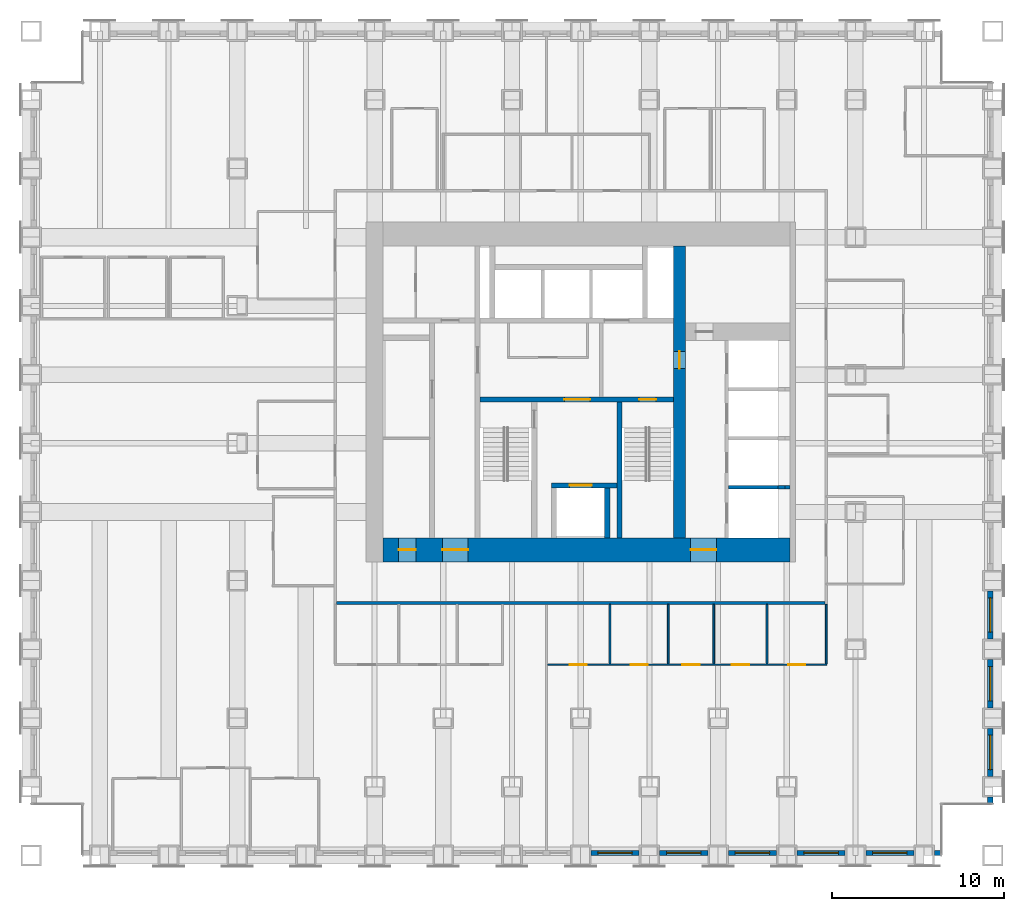
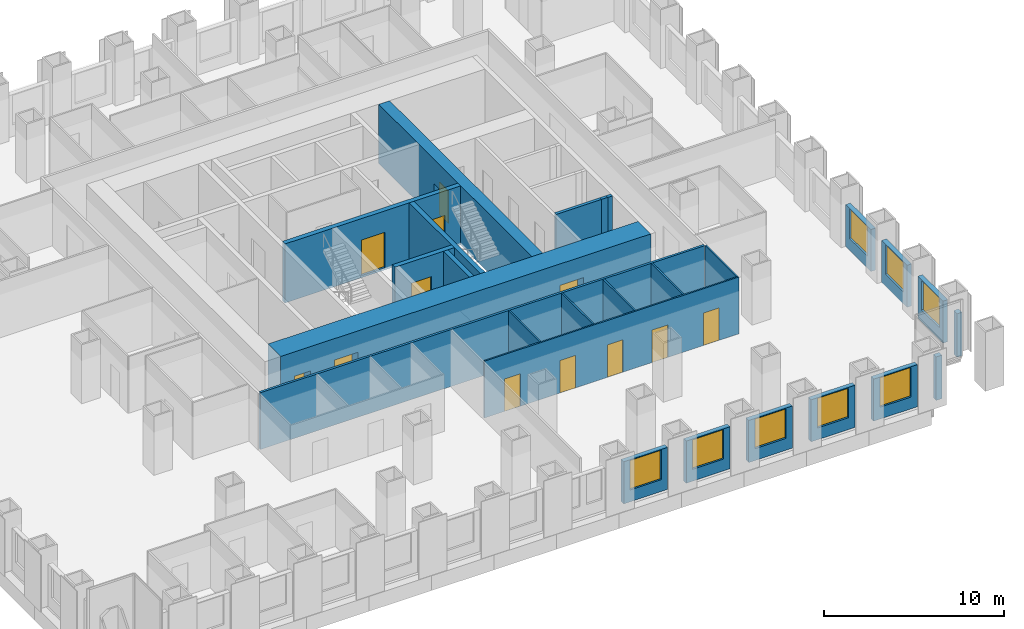
# One storey, part 9 of 14: 26 walls, 12 doors, 8 windows, 20 openings.
"""IFC4 building model written with IfcOpenShell, lengths in metres."""

from ifc_helpers import new_model, si_unit, direction, frame, frame_2d, origin, place, context, subcontext, project, spatial, rectangle, extrude, material, layer, layer_set, type_object, element, fill, save


model = new_model("IFC4")

# Units and contexts
model_context = context("Model", 3, precision=1e-05, world=origin(), true_north=direction((0.0, 1.0)))
body_context = subcontext(model_context, "Body", "Model", "MODEL_VIEW")
ifc_project = project(units=[si_unit("LENGTHUNIT", "METRE"), si_unit("AREAUNIT", "SQUARE_METRE"), si_unit("VOLUMEUNIT", "CUBIC_METRE"), si_unit("PLANEANGLEUNIT", "RADIAN"), si_unit("MASSUNIT", "GRAM", prefix="KILO")], contexts=[model_context])

# Site, building, storey
site_placement = place(None, origin())
site = spatial("IfcSite", under=ifc_project, at=site_placement, CompositionType="ELEMENT")
building_placement = place(site_placement, origin())
building = spatial("IfcBuilding", under=site, at=building_placement, Name="Rimbunsela Tower", CompositionType="ELEMENT")
storey_placement = place(building_placement, frame((0.0, 0.0, 59.0)))
storey = spatial("IfcBuildingStorey", under=building, at=storey_placement, Name="L14", CompositionType="ELEMENT", Elevation=59.0)

# Wall, openings, doors
ifc_material_1 = material(Name="Concrete fc' 80 MPa", Category="concrete")
ifc_layer_1 = layer(ifc_material_1, 0.300048828125)
ifc_layer_set_1 = layer_set([ifc_layer_1], Name="Core internal wall 300")
wall_type_1 = type_object("IfcWallType", Name="Core internal wall 300", PredefinedType="SHEAR", material=ifc_layer_set_1)
wall_1_placement = place(storey_placement, frame((24.14990234375, 26.550048828125, -0.14990234375), z_axis=(0.0, 0.0, 1.0), x_axis=(1.0, 0.0, 0.0)))
wall_1 = element("IfcWall", 1, at=wall_1_placement, inside=storey, type_object=wall_type_1, Name="Core wall lobby south", PredefinedType="SHEAR", context=body_context, shape_type="SweptSolid", body=[
    extrude(rectangle(XDim=11.25, YDim=0.300048828125, at=frame_2d((5.625, 0.0))), origin(), (0.0, 0.0, 1.0), 4.0),
])
opening_1_placement = place(wall_1_placement, frame((9.25, 0.0, 0.14990234375)))
opening_1 = element("IfcOpeningElement", 2, at=opening_1_placement, cuts=wall_1, Name="Opening D01", PredefinedType="OPENING", context=body_context, shape_type="SweptSolid", body=[
    extrude(rectangle(XDim=1.0, YDim=2.199951171875, at=frame_2d((0.5, 1.10009765625))), frame((0.0, 0.159912109375, 0.0), z_axis=(0.0, -1.0, 0.0), x_axis=(1.0, 0.0, 0.0)), (0.0, 0.0, 1.0), 0.320068359375),
])
opening_2_placement = place(wall_1_placement, frame((4.89990234375, 0.0, 0.14990234375)))
opening_2 = element("IfcOpeningElement", 3, at=opening_2_placement, cuts=wall_1, Name="Opening D03", PredefinedType="OPENING", context=body_context, shape_type="SweptSolid", body=[
    extrude(rectangle(XDim=1.5, YDim=2.39990234375, at=frame_2d((0.75, 1.199951171875))), frame((0.0, 0.159912109375, 0.0), z_axis=(0.0, -1.0, 0.0), x_axis=(1.0, 0.0, 0.0)), (0.0, 0.0, 1.0), 0.320068359375),
])
ifc_material_2 = material(Name="Steel door, fire rated", Category="steel")
door_type_1 = type_object("IfcDoorType", Name="Core lobby door 1500", OperationType="DOUBLE_DOOR_DOUBLE_SWING", PredefinedType="DOOR", material=ifc_material_2)
door_1_placement = place(opening_2_placement, origin())
door_1 = element("IfcDoor", 4, at=door_1_placement, inside=storey, type_object=door_type_1, Name="Firefighting lobby door", OperationType="DOUBLE_DOOR_DOUBLE_SWING", OverallHeight=2.39990234375, OverallWidth=1.5, PredefinedType="DOOR", context=body_context, shape_type="SweptSolid", body=[
    extrude(rectangle(XDim=1.5, YDim=2.39990234375, at=frame_2d((0.75, 1.199951171875))), frame((0.0, 0.02490234375, 0.0), z_axis=(0.0, -1.0, 0.0), x_axis=(1.0, 0.0, 0.0)), (0.0, 0.0, 1.0), 0.050048828125),
])
fill(opening_2, door_1)
ifc_material_3 = material(Name="Steel door, fire rated", Category="steel")
door_type_2 = type_object("IfcDoorType", Name="Stair door 1000", OperationType="SINGLE_SWING_RIGHT", PredefinedType="DOOR", material=ifc_material_3)
door_2_placement = place(opening_1_placement, frame((1.0, 0.0, 0.0), z_axis=(0.0, 0.0, 1.0), x_axis=(-1.0, 0.0, 0.0)))
door_2 = element("IfcDoor", 5, at=door_2_placement, inside=storey, type_object=door_type_2, Name="Stair B door", OperationType="SINGLE_SWING_RIGHT", OverallHeight=2.199951171875, OverallWidth=1.0, PredefinedType="DOOR", context=body_context, shape_type="SweptSolid", body=[
    extrude(rectangle(XDim=1.0, YDim=2.199951171875, at=frame_2d((0.5, 1.10009765625))), frame((0.0, 0.02490234375, 0.0), z_axis=(0.0, -1.0, 0.0), x_axis=(1.0, 0.0, 0.0)), (0.0, 0.0, 1.0), 0.050048828125),
])
fill(opening_1, door_2)

# Walls
wall_2_placement = place(storey_placement, frame((32.25, 18.5, -0.14990234375), z_axis=(0.0, 0.0, 1.0), x_axis=(0.0, 1.0, 0.0)))
element("IfcWall", 6, at=wall_2_placement, inside=storey, type_object=wall_type_1, Name="Stair B enclosure", PredefinedType="SHEAR", context=body_context, shape_type="SweptSolid", body=[
    extrude(rectangle(XDim=7.89990234375, YDim=0.300048828125, at=frame_2d((3.949951171875, 0.0))), origin(), (0.0, 0.0, 1.0), 4.0),
])
wall_3_placement = place(storey_placement, frame((31.550048828125, 18.5, -0.14990234375), z_axis=(0.0, 0.0, 1.0), x_axis=(0.0, 1.0, 0.0)))
element("IfcWall", 7, at=wall_3_placement, inside=storey, type_object=wall_type_1, Name="Firefighting lift shaft east", PredefinedType="SHEAR", context=body_context, shape_type="SweptSolid", body=[
    extrude(rectangle(XDim=2.89990234375, YDim=0.300048828125, at=frame_2d((1.449951171875, 0.0))), origin(), (0.0, 0.0, 1.0), 4.0),
])

# Wall, opening, door
wall_4_placement = place(storey_placement, frame((28.300048828125, 21.550048828125, -0.14990234375), z_axis=(0.0, 0.0, 1.0), x_axis=(1.0, 0.0, 0.0)))
wall_4 = element("IfcWall", 8, at=wall_4_placement, inside=storey, type_object=wall_type_1, Name="Firefighting lift shaft front", PredefinedType="SHEAR", context=body_context, shape_type="SweptSolid", body=[
    extrude(rectangle(XDim=3.800048828125, YDim=0.300048828125, at=frame_2d((1.89990234375, 0.0))), origin(), (0.0, 0.0, 1.0), 4.0),
])
opening_3_placement = place(wall_4_placement, frame((1.050048828125, 0.0, 0.14990234375)))
opening_3 = element("IfcOpeningElement", 9, at=opening_3_placement, cuts=wall_4, Name="Opening LD2", PredefinedType="OPENING", context=body_context, shape_type="SweptSolid", body=[
    extrude(rectangle(XDim=1.300048828125, YDim=2.39990234375, at=frame_2d((0.64990234375, 1.199951171875))), frame((0.0, 0.159912109375, 0.0), z_axis=(0.0, -1.0, 0.0), x_axis=(1.0, 0.0, 0.0)), (0.0, 0.0, 1.0), 0.320068359375),
])
ifc_material_4 = material(Name="Steel door, fire rated", Category="steel")
door_type_3 = type_object("IfcDoorType", Name="Lift landing door 1300", OperationType="DOUBLE_DOOR_SLIDING", PredefinedType="DOOR", material=ifc_material_4)
door_3_placement = place(opening_3_placement, origin())
door_3 = element("IfcDoor", 10, at=door_3_placement, inside=storey, type_object=door_type_3, Name="Lift landing door FL1", OperationType="DOUBLE_DOOR_SLIDING", OverallHeight=2.39990234375, OverallWidth=1.300048828125, PredefinedType="DOOR", context=body_context, shape_type="SweptSolid", body=[
    extrude(rectangle(XDim=1.300048828125, YDim=2.39990234375, at=frame_2d((0.64990234375, 1.199951171875))), frame((0.0, 0.02490234375, 0.0), z_axis=(0.0, -1.0, 0.0), x_axis=(1.0, 0.0, 0.0)), (0.0, 0.0, 1.0), 0.050048828125),
])
fill(opening_3, door_3)

# Wall, openings, doors
ifc_material_5 = material(Name="Concrete fc' 80 MPa", Category="concrete")
ifc_layer_2 = layer(ifc_material_5, 1.39990234375)
ifc_layer_set_2 = layer_set([ifc_layer_2], Name="Core wall 1400")
wall_type_2 = type_object("IfcWallType", Name="Core wall 1400", PredefinedType="SHEAR", material=ifc_layer_set_2)
wall_5_placement = place(storey_placement, frame((18.5, 17.800048828125, -0.14990234375), z_axis=(0.0, 0.0, 1.0), x_axis=(1.0, 0.0, 0.0)))
wall_5 = element("IfcWall", 11, at=wall_5_placement, inside=storey, type_object=wall_type_2, Name="Core wall south", PredefinedType="SHEAR", context=body_context, shape_type="SweptSolid", body=[
    extrude(rectangle(XDim=23.699951171875, YDim=1.39990234375, at=frame_2d((11.85009765625, 0.0))), origin(), (0.0, 0.0, 1.0), 4.0),
])
opening_4_placement = place(wall_5_placement, frame((3.449951171875, 0.0, 0.14990234375)))
opening_4 = element("IfcOpeningElement", 12, at=opening_4_placement, cuts=wall_5, Name="Opening D03", PredefinedType="OPENING", context=body_context, shape_type="SweptSolid", body=[
    extrude(rectangle(XDim=1.5, YDim=2.39990234375, at=frame_2d((0.75, 1.199951171875))), frame((0.0, 0.7099609375, 0.0), z_axis=(0.0, -1.0, 0.0), x_axis=(1.0, 0.0, 0.0)), (0.0, 0.0, 1.0), 1.419921875),
])
opening_5_placement = place(wall_5_placement, frame((17.89990234375, 0.0, 0.14990234375)))
opening_5 = element("IfcOpeningElement", 13, at=opening_5_placement, cuts=wall_5, Name="Opening D03", PredefinedType="OPENING", context=body_context, shape_type="SweptSolid", body=[
    extrude(rectangle(XDim=1.5, YDim=2.39990234375, at=frame_2d((0.75, 1.199951171875))), frame((0.0, 0.7099609375, 0.0), z_axis=(0.0, -1.0, 0.0), x_axis=(1.0, 0.0, 0.0)), (0.0, 0.0, 1.0), 1.419921875),
])
opening_6_placement = place(wall_5_placement, frame((0.89990234375, 0.0, 0.14990234375)))
opening_6 = element("IfcOpeningElement", 14, at=opening_6_placement, cuts=wall_5, Name="Opening D19", PredefinedType="OPENING", context=body_context, shape_type="SweptSolid", body=[
    extrude(rectangle(XDim=1.0, YDim=2.199951171875, at=frame_2d((0.5, 1.10009765625))), frame((0.0, 0.7099609375, 0.0), z_axis=(0.0, -1.0, 0.0), x_axis=(1.0, 0.0, 0.0)), (0.0, 0.0, 1.0), 1.419921875),
])
door_4_placement = place(opening_4_placement, origin())
door_4 = element("IfcDoor", 15, at=door_4_placement, inside=storey, type_object=door_type_1, Name="Core door south", OperationType="DOUBLE_DOOR_DOUBLE_SWING", OverallHeight=2.39990234375, OverallWidth=1.5, PredefinedType="DOOR", context=body_context, shape_type="SweptSolid", body=[
    extrude(rectangle(XDim=1.5, YDim=2.39990234375, at=frame_2d((0.75, 1.199951171875))), frame((0.0, 0.02490234375, 0.0), z_axis=(0.0, -1.0, 0.0), x_axis=(1.0, 0.0, 0.0)), (0.0, 0.0, 1.0), 0.050048828125),
])
fill(opening_4, door_4)
door_5_placement = place(opening_5_placement, origin())
door_5 = element("IfcDoor", 16, at=door_5_placement, inside=storey, type_object=door_type_1, Name="Core door south-east", OperationType="DOUBLE_DOOR_DOUBLE_SWING", OverallHeight=2.39990234375, OverallWidth=1.5, PredefinedType="DOOR", context=body_context, shape_type="SweptSolid", body=[
    extrude(rectangle(XDim=1.5, YDim=2.39990234375, at=frame_2d((0.75, 1.199951171875))), frame((0.0, 0.02490234375, 0.0), z_axis=(0.0, -1.0, 0.0), x_axis=(1.0, 0.0, 0.0)), (0.0, 0.0, 1.0), 0.050048828125),
])
fill(opening_5, door_5)
ifc_material_6 = material(Name="Steel door, fire rated", Category="steel")
door_type_4 = type_object("IfcDoorType", Name="Service door 1000 fire rated", OperationType="SINGLE_SWING_LEFT", PredefinedType="DOOR", material=ifc_material_6)
door_6_placement = place(opening_6_placement, origin())
door_6 = element("IfcDoor", 17, at=door_6_placement, inside=storey, type_object=door_type_4, Name="Electrical room door", OperationType="SINGLE_SWING_LEFT", OverallHeight=2.199951171875, OverallWidth=1.0, PredefinedType="DOOR", context=body_context, shape_type="SweptSolid", body=[
    extrude(rectangle(XDim=1.0, YDim=2.199951171875, at=frame_2d((0.5, 1.10009765625))), frame((0.0, 0.02490234375, 0.0), z_axis=(0.0, -1.0, 0.0), x_axis=(1.0, 0.0, 0.0)), (0.0, 0.0, 1.0), 0.050048828125),
])
fill(opening_6, door_6)

# Wall, opening, door
ifc_material_7 = material(Name="Concrete fc' 80 MPa", Category="concrete")
ifc_layer_3 = layer(ifc_material_7, 0.699951171875)
ifc_layer_set_3 = layer_set([ifc_layer_3], Name="Core wall 700 east")
wall_type_3 = type_object("IfcWallType", Name="Core wall 700 east", PredefinedType="SHEAR", material=ifc_layer_set_3)
wall_6_placement = place(storey_placement, frame((35.75, 18.5, -0.14990234375), z_axis=(0.0, 0.0, 1.0), x_axis=(0.0, 1.0, 0.0)))
wall_6 = element("IfcWall", 18, at=wall_6_placement, inside=storey, type_object=wall_type_3, Name="Core wall low-rise bank", PredefinedType="SHEAR", context=body_context, shape_type="SweptSolid", body=[
    extrude(rectangle(XDim=17.0, YDim=0.699951171875, at=frame_2d((8.5, 0.0))), origin(), (0.0, 0.0, 1.0), 4.0),
])
opening_7_placement = place(wall_6_placement, frame((9.85009765625, 0.0, 0.14990234375)))
opening_7 = element("IfcOpeningElement", 19, at=opening_7_placement, cuts=wall_6, Name="Opening D01", PredefinedType="OPENING", context=body_context, shape_type="SweptSolid", body=[
    extrude(rectangle(XDim=1.0, YDim=2.199951171875, at=frame_2d((0.5, 1.10009765625))), frame((0.0, 0.35986328125, 0.0), z_axis=(0.0, -1.0, 0.0), x_axis=(1.0, 0.0, 0.0)), (0.0, 0.0, 1.0), 0.719970703125),
])
door_7_placement = place(opening_7_placement, origin())
door_7 = element("IfcDoor", 20, at=door_7_placement, inside=storey, type_object=door_type_2, Name="Firefighting lobby 2 door", OperationType="SINGLE_SWING_RIGHT", OverallHeight=2.199951171875, OverallWidth=1.0, PredefinedType="DOOR", context=body_context, shape_type="SweptSolid", body=[
    extrude(rectangle(XDim=1.0, YDim=2.199951171875, at=frame_2d((0.5, 1.10009765625))), frame((0.0, 0.02490234375, 0.0), z_axis=(0.0, -1.0, 0.0), x_axis=(1.0, 0.0, 0.0)), (0.0, 0.0, 1.0), 0.050048828125),
])
fill(opening_7, door_7)

# Walls
ifc_material_8 = material(Name="Concrete blockwork", Category="masonry")
ifc_layer_4 = layer(ifc_material_8, 0.199951171875)
ifc_layer_set_4 = layer_set([ifc_layer_4], Name="Lift shaft wall 200")
wall_type_4 = type_object("IfcWallType", Name="Lift shaft wall 200", PredefinedType="SOLIDWALL", material=ifc_layer_set_4)
wall_7_placement = place(storey_placement, frame((38.60009765625, 21.449951171875, -0.14990234375), z_axis=(0.0, 0.0, 1.0), x_axis=(1.0, 0.0, 0.0)))
element("IfcWall", 21, at=wall_7_placement, inside=storey, type_object=wall_type_4, Name="Lift shaft separation", PredefinedType="SOLIDWALL", context=body_context, shape_type="SweptSolid", body=[
    extrude(rectangle(XDim=2.89990234375, YDim=0.199951171875, at=frame_2d((1.449951171875, 0.0))), origin(), (0.0, 0.0, 1.0), 4.0),
])
wall_8_placement = place(storey_placement, frame((41.5, 21.449951171875, -0.14990234375), z_axis=(0.0, 0.0, 1.0), x_axis=(1.0, 0.0, 0.0)))
element("IfcWall", 22, at=wall_8_placement, inside=storey, type_object=wall_type_4, Name="Lift shaft separation", PredefinedType="SOLIDWALL", context=body_context, shape_type="SweptSolid", body=[
    extrude(rectangle(XDim=0.39990234375, YDim=0.199951171875, at=frame_2d((0.199951171875, 0.0))), origin(), (0.0, 0.0, 1.0), 4.0),
])
wall_9_placement = place(storey_placement, frame((41.89990234375, 21.449951171875, -0.14990234375), z_axis=(0.0, 0.0, 1.0), x_axis=(1.0, 0.0, 0.0)))
element("IfcWall", 23, at=wall_9_placement, inside=storey, type_object=wall_type_4, Name="Lift shaft separation", PredefinedType="SOLIDWALL", context=body_context, shape_type="SweptSolid", body=[
    extrude(rectangle(XDim=0.300048828125, YDim=0.199951171875, at=frame_2d((0.14990234375, 0.0))), origin(), (0.0, 0.0, 1.0), 4.0),
])

# Wall, openings, doors
ifc_material_9 = material(Name="Gypsum board on steel studs", Category="steel")
ifc_layer_5 = layer(ifc_material_9, 0.10009765625)
ifc_layer_set_5 = layer_set([ifc_layer_5], Name="Office partition 100")
wall_type_5 = type_object("IfcWallType", Name="Office partition 100", PredefinedType="PARTITIONING", material=ifc_layer_set_5)
wall_10_placement = place(storey_placement, frame((28.06103515625, 11.10009765625, 0.0), z_axis=(0.0, 0.0, 1.0), x_axis=(1.0, 0.0, 0.0)))
wall_10 = element("IfcWall", 24, at=wall_10_placement, inside=storey, type_object=wall_type_5, Name="Office partition", PredefinedType="PARTITIONING", context=body_context, shape_type="SweptSolid", body=[
    extrude(rectangle(XDim=16.2890625, YDim=0.10009765625, at=frame_2d((8.14453125, 0.0))), origin(), (0.0, 0.0, 1.0), 3.85009765625),
])
opening_8_placement = place(wall_10_placement, frame((1.2900390625, 0.0, 0.0)))
opening_8 = element("IfcOpeningElement", 25, at=opening_8_placement, cuts=wall_10, Name="Opening D17", PredefinedType="OPENING", context=body_context, shape_type="SweptSolid", body=[
    extrude(rectangle(XDim=1.0, YDim=2.199951171875, at=frame_2d((0.5, 1.10009765625))), frame((0.0, 0.06005859375, 0.0), z_axis=(0.0, -1.0, 0.0), x_axis=(1.0, 0.0, 0.0)), (0.0, 0.0, 1.0), 0.1201171875),
])
opening_9_placement = place(wall_10_placement, frame((4.840087890625, 0.0, 0.0)))
opening_9 = element("IfcOpeningElement", 26, at=opening_9_placement, cuts=wall_10, Name="Opening D16", PredefinedType="OPENING", context=body_context, shape_type="SweptSolid", body=[
    extrude(rectangle(XDim=1.0, YDim=2.199951171875, at=frame_2d((0.5, 1.10009765625))), frame((0.0, 0.06005859375, 0.0), z_axis=(0.0, -1.0, 0.0), x_axis=(1.0, 0.0, 0.0)), (0.0, 0.0, 1.0), 0.1201171875),
])
opening_10_placement = place(wall_10_placement, frame((7.864990234375, 0.0, 0.0)))
opening_10 = element("IfcOpeningElement", 27, at=opening_10_placement, cuts=wall_10, Name="Opening D16", PredefinedType="OPENING", context=body_context, shape_type="SweptSolid", body=[
    extrude(rectangle(XDim=1.0, YDim=2.199951171875, at=frame_2d((0.5, 1.10009765625))), frame((0.0, 0.06005859375, 0.0), z_axis=(0.0, -1.0, 0.0), x_axis=(1.0, 0.0, 0.0)), (0.0, 0.0, 1.0), 0.1201171875),
])
opening_11_placement = place(wall_10_placement, frame((10.739990234375, 0.0, 0.0)))
opening_11 = element("IfcOpeningElement", 28, at=opening_11_placement, cuts=wall_10, Name="Opening D16", PredefinedType="OPENING", context=body_context, shape_type="SweptSolid", body=[
    extrude(rectangle(XDim=1.0, YDim=2.199951171875, at=frame_2d((0.5, 1.10009765625))), frame((0.0, 0.06005859375, 0.0), z_axis=(0.0, -1.0, 0.0), x_axis=(1.0, 0.0, 0.0)), (0.0, 0.0, 1.0), 0.1201171875),
])
opening_12_placement = place(wall_10_placement, frame((14.014404296875, 0.0, 0.0)))
opening_12 = element("IfcOpeningElement", 29, at=opening_12_placement, cuts=wall_10, Name="Opening D16", PredefinedType="OPENING", context=body_context, shape_type="SweptSolid", body=[
    extrude(rectangle(XDim=1.0, YDim=2.199951171875, at=frame_2d((0.5, 1.10009765625))), frame((0.0, 0.06005859375, 0.0), z_axis=(0.0, -1.0, 0.0), x_axis=(1.0, 0.0, 0.0)), (0.0, 0.0, 1.0), 0.1201171875),
])
ifc_material_10 = material(Name="Glazed aluminium door", Category="aluminium")
door_type_5 = type_object("IfcDoorType", Name="Meeting room door 1000 glazed", OperationType="SINGLE_SWING_RIGHT", PredefinedType="DOOR", material=ifc_material_10)
door_8_placement = place(opening_8_placement, origin())
door_8 = element("IfcDoor", 30, at=door_8_placement, inside=storey, type_object=door_type_5, Name="Meeting room door", OperationType="SINGLE_SWING_RIGHT", OverallHeight=2.199951171875, OverallWidth=1.0, PredefinedType="DOOR", context=body_context, shape_type="SweptSolid", body=[
    extrude(rectangle(XDim=1.0, YDim=2.199951171875, at=frame_2d((0.5, 1.10009765625))), frame((0.0, 0.02490234375, 0.0), z_axis=(0.0, -1.0, 0.0), x_axis=(1.0, 0.0, 0.0)), (0.0, 0.0, 1.0), 0.050048828125),
])
fill(opening_8, door_8)
ifc_material_11 = material(Name="Timber door", Category="wood")
door_type_6 = type_object("IfcDoorType", Name="Office door 1000", OperationType="SINGLE_SWING_LEFT", PredefinedType="DOOR", material=ifc_material_11)
door_9_placement = place(opening_9_placement, origin())
door_9 = element("IfcDoor", 31, at=door_9_placement, inside=storey, type_object=door_type_6, Name="Office door", OperationType="SINGLE_SWING_LEFT", OverallHeight=2.199951171875, OverallWidth=1.0, PredefinedType="DOOR", context=body_context, shape_type="SweptSolid", body=[
    extrude(rectangle(XDim=1.0, YDim=2.199951171875, at=frame_2d((0.5, 1.10009765625))), frame((0.0, 0.02490234375, 0.0), z_axis=(0.0, -1.0, 0.0), x_axis=(1.0, 0.0, 0.0)), (0.0, 0.0, 1.0), 0.050048828125),
])
fill(opening_9, door_9)
door_10_placement = place(opening_10_placement, origin())
door_10 = element("IfcDoor", 32, at=door_10_placement, inside=storey, type_object=door_type_6, Name="Office door", OperationType="SINGLE_SWING_LEFT", OverallHeight=2.199951171875, OverallWidth=1.0, PredefinedType="DOOR", context=body_context, shape_type="SweptSolid", body=[
    extrude(rectangle(XDim=1.0, YDim=2.199951171875, at=frame_2d((0.5, 1.10009765625))), frame((0.0, 0.02490234375, 0.0), z_axis=(0.0, -1.0, 0.0), x_axis=(1.0, 0.0, 0.0)), (0.0, 0.0, 1.0), 0.050048828125),
])
fill(opening_10, door_10)
door_11_placement = place(opening_11_placement, origin())
door_11 = element("IfcDoor", 33, at=door_11_placement, inside=storey, type_object=door_type_6, Name="Office door", OperationType="SINGLE_SWING_LEFT", OverallHeight=2.199951171875, OverallWidth=1.0, PredefinedType="DOOR", context=body_context, shape_type="SweptSolid", body=[
    extrude(rectangle(XDim=1.0, YDim=2.199951171875, at=frame_2d((0.5, 1.10009765625))), frame((0.0, 0.02490234375, 0.0), z_axis=(0.0, -1.0, 0.0), x_axis=(1.0, 0.0, 0.0)), (0.0, 0.0, 1.0), 0.050048828125),
])
fill(opening_11, door_11)
door_12_placement = place(opening_12_placement, origin())
door_12 = element("IfcDoor", 34, at=door_12_placement, inside=storey, type_object=door_type_6, Name="Office door", OperationType="SINGLE_SWING_LEFT", OverallHeight=2.199951171875, OverallWidth=1.0, PredefinedType="DOOR", context=body_context, shape_type="SweptSolid", body=[
    extrude(rectangle(XDim=1.0, YDim=2.199951171875, at=frame_2d((0.5, 1.10009765625))), frame((0.0, 0.02490234375, 0.0), z_axis=(0.0, -1.0, 0.0), x_axis=(1.0, 0.0, 0.0)), (0.0, 0.0, 1.0), 0.050048828125),
])
fill(opening_12, door_12)

# Walls
for number, where, z_axis, x_axis, name in (
    (35, (31.700927734375, 11.14990234375, 0.0), (0.0, 0.0, 1.0), (0.0, 1.0, 0.0), "Office partition"),
    (36, (35.10107421875, 11.14990234375, 0.0), (0.0, 0.0, 1.0), (0.0, 1.0, 0.0), "Office partition"),
    (37, (37.7509765625, 11.14990234375, 0.0), (0.0, 0.0, 1.0), (0.0, 1.0, 0.0), "Office partition"),
    (38, (40.85107421875, 11.14990234375, 0.0), (0.0, 0.0, 1.0), (0.0, 1.0, 0.0), "Office partition"),
    (39, (44.300048828125, 11.14990234375, 0.0), (0.0, 0.0, 1.0), (0.0, 1.0, 0.0), "Office partition"),
):
    element("IfcWall", number, at=place(storey_placement, frame(where, z_axis=z_axis, x_axis=x_axis)), inside=storey, type_object=wall_type_5, Name=name, PredefinedType="PARTITIONING", context=body_context, shape_type="SweptSolid", body=[
        extrude(rectangle(XDim=3.47509765625, YDim=0.10009765625, at=frame_2d((1.737548828125, 0.0))), origin(), (0.0, 0.0, 1.0), 3.85009765625),
    ])

# Wall, opening, window
ifc_material_12 = material(Name="Precast concrete fc' 35 MPa", Category="concrete")
ifc_layer_6 = layer(ifc_material_12, 0.300048828125)
ifc_layer_set_6 = layer_set([ifc_layer_6], Name="Precast concrete fc' 35 MPa")
wall_type_6 = type_object("IfcWallType", Name="Precast facade panel 300", PredefinedType="ELEMENTEDWALL", material=ifc_layer_set_6)
wall_11_placement = place(storey_placement, frame((30.60009765625, 0.14990234375, 0.0), z_axis=(0.0, 0.0, 1.0), x_axis=(1.0, 0.0, 0.0)))
wall_11 = element("IfcWall", 40, at=wall_11_placement, inside=storey, type_object=wall_type_6, Name="Facade panel S L14", PredefinedType="ELEMENTEDWALL", context=body_context, shape_type="SweptSolid", body=[
    extrude(rectangle(XDim=2.7998046875, YDim=0.300048828125, at=frame_2d((1.39990234375, 0.0))), origin(), (0.0, 0.0, 1.0), 2.85009765625),
])
opening_13_placement = place(wall_11_placement, frame((0.39990234375, 0.0, 0.800048828125)))
opening_13 = element("IfcOpeningElement", 41, at=opening_13_placement, cuts=wall_11, Name="Opening W1", PredefinedType="OPENING", context=body_context, shape_type="SweptSolid", body=[
    extrude(rectangle(XDim=2.0, YDim=2.0, at=frame_2d((1.0, 1.0))), frame((0.0, 0.159912109375, 0.0), z_axis=(0.0, -1.0, 0.0), x_axis=(1.0, 0.0, 0.0)), (0.0, 0.0, 1.0), 0.320068359375),
])
ifc_material_13 = material(Name="Clear glass in aluminium frame", Category="aluminium")
window_type = type_object("IfcWindowType", Name="Window W1 2000x2000", PartitioningType="DOUBLE_PANEL_VERTICAL", PredefinedType="WINDOW", material=ifc_material_13)
window_1_placement = place(opening_13_placement, origin())
window_1 = element("IfcWindow", 42, at=window_1_placement, inside=storey, type_object=window_type, Name="Window L14", OverallHeight=2.0, OverallWidth=2.0, PartitioningType="SINGLE_PANEL", PredefinedType="WINDOW", context=body_context, shape_type="SweptSolid", body=[
    extrude(rectangle(XDim=2.0, YDim=2.0, at=frame_2d((1.0, 1.0))), frame((0.0, 0.030029296875, 0.0), z_axis=(0.0, -1.0, 0.0), x_axis=(1.0, 0.0, 0.0)), (0.0, 0.0, 1.0), 0.06005859375),
])
fill(opening_13, window_1)

wall_12_placement = place(storey_placement, frame((34.60009765625, 0.14990234375, 0.0), z_axis=(0.0, 0.0, 1.0), x_axis=(1.0, 0.0, 0.0)))
wall_12 = element("IfcWall", 43, at=wall_12_placement, inside=storey, type_object=wall_type_6, Name="Facade panel S L14", PredefinedType="ELEMENTEDWALL", context=body_context, shape_type="SweptSolid", body=[
    extrude(rectangle(XDim=2.7998046875, YDim=0.300048828125, at=frame_2d((1.39990234375, 0.0))), origin(), (0.0, 0.0, 1.0), 2.85009765625),
])
opening_14_placement = place(wall_12_placement, frame((0.39990234375, 0.0, 0.800048828125)))
opening_14 = element("IfcOpeningElement", 44, at=opening_14_placement, cuts=wall_12, Name="Opening W1", PredefinedType="OPENING", context=body_context, shape_type="SweptSolid", body=[
    extrude(rectangle(XDim=2.0, YDim=2.0, at=frame_2d((1.0, 1.0))), frame((0.0, 0.159912109375, 0.0), z_axis=(0.0, -1.0, 0.0), x_axis=(1.0, 0.0, 0.0)), (0.0, 0.0, 1.0), 0.320068359375),
])
window_2_placement = place(opening_14_placement, origin())
window_2 = element("IfcWindow", 45, at=window_2_placement, inside=storey, type_object=window_type, Name="Window L14", OverallHeight=2.0, OverallWidth=2.0, PartitioningType="SINGLE_PANEL", PredefinedType="WINDOW", context=body_context, shape_type="SweptSolid", body=[
    extrude(rectangle(XDim=2.0, YDim=2.0, at=frame_2d((1.0, 1.0))), frame((0.0, 0.030029296875, 0.0), z_axis=(0.0, -1.0, 0.0), x_axis=(1.0, 0.0, 0.0)), (0.0, 0.0, 1.0), 0.06005859375),
])
fill(opening_14, window_2)

wall_13_placement = place(storey_placement, frame((38.60009765625, 0.14990234375, 0.0), z_axis=(0.0, 0.0, 1.0), x_axis=(1.0, 0.0, 0.0)))
wall_13 = element("IfcWall", 46, at=wall_13_placement, inside=storey, type_object=wall_type_6, Name="Facade panel S L14", PredefinedType="ELEMENTEDWALL", context=body_context, shape_type="SweptSolid", body=[
    extrude(rectangle(XDim=2.7998046875, YDim=0.300048828125, at=frame_2d((1.39990234375, 0.0))), origin(), (0.0, 0.0, 1.0), 2.85009765625),
])
opening_15_placement = place(wall_13_placement, frame((0.39990234375, 0.0, 0.800048828125)))
opening_15 = element("IfcOpeningElement", 47, at=opening_15_placement, cuts=wall_13, Name="Opening W1", PredefinedType="OPENING", context=body_context, shape_type="SweptSolid", body=[
    extrude(rectangle(XDim=2.0, YDim=2.0, at=frame_2d((1.0, 1.0))), frame((0.0, 0.159912109375, 0.0), z_axis=(0.0, -1.0, 0.0), x_axis=(1.0, 0.0, 0.0)), (0.0, 0.0, 1.0), 0.320068359375),
])
window_3_placement = place(opening_15_placement, origin())
window_3 = element("IfcWindow", 48, at=window_3_placement, inside=storey, type_object=window_type, Name="Window L14", OverallHeight=2.0, OverallWidth=2.0, PartitioningType="SINGLE_PANEL", PredefinedType="WINDOW", context=body_context, shape_type="SweptSolid", body=[
    extrude(rectangle(XDim=2.0, YDim=2.0, at=frame_2d((1.0, 1.0))), frame((0.0, 0.030029296875, 0.0), z_axis=(0.0, -1.0, 0.0), x_axis=(1.0, 0.0, 0.0)), (0.0, 0.0, 1.0), 0.06005859375),
])
fill(opening_15, window_3)

wall_14_placement = place(storey_placement, frame((42.60009765625, 0.14990234375, 0.0), z_axis=(0.0, 0.0, 1.0), x_axis=(1.0, 0.0, 0.0)))
wall_14 = element("IfcWall", 49, at=wall_14_placement, inside=storey, type_object=wall_type_6, Name="Facade panel S L14", PredefinedType="ELEMENTEDWALL", context=body_context, shape_type="SweptSolid", body=[
    extrude(rectangle(XDim=2.7998046875, YDim=0.300048828125, at=frame_2d((1.39990234375, 0.0))), origin(), (0.0, 0.0, 1.0), 2.85009765625),
])
opening_16_placement = place(wall_14_placement, frame((0.39990234375, 0.0, 0.800048828125)))
opening_16 = element("IfcOpeningElement", 50, at=opening_16_placement, cuts=wall_14, Name="Opening W1", PredefinedType="OPENING", context=body_context, shape_type="SweptSolid", body=[
    extrude(rectangle(XDim=2.0, YDim=2.0, at=frame_2d((1.0, 1.0))), frame((0.0, 0.159912109375, 0.0), z_axis=(0.0, -1.0, 0.0), x_axis=(1.0, 0.0, 0.0)), (0.0, 0.0, 1.0), 0.320068359375),
])
window_4_placement = place(opening_16_placement, origin())
window_4 = element("IfcWindow", 51, at=window_4_placement, inside=storey, type_object=window_type, Name="Window L14", OverallHeight=2.0, OverallWidth=2.0, PartitioningType="SINGLE_PANEL", PredefinedType="WINDOW", context=body_context, shape_type="SweptSolid", body=[
    extrude(rectangle(XDim=2.0, YDim=2.0, at=frame_2d((1.0, 1.0))), frame((0.0, 0.030029296875, 0.0), z_axis=(0.0, -1.0, 0.0), x_axis=(1.0, 0.0, 0.0)), (0.0, 0.0, 1.0), 0.06005859375),
])
fill(opening_16, window_4)

wall_15_placement = place(storey_placement, frame((46.60009765625, 0.14990234375, 0.0), z_axis=(0.0, 0.0, 1.0), x_axis=(1.0, 0.0, 0.0)))
wall_15 = element("IfcWall", 52, at=wall_15_placement, inside=storey, type_object=wall_type_6, Name="Facade panel S L14", PredefinedType="ELEMENTEDWALL", context=body_context, shape_type="SweptSolid", body=[
    extrude(rectangle(XDim=2.7998046875, YDim=0.300048828125, at=frame_2d((1.39990234375, 0.0))), origin(), (0.0, 0.0, 1.0), 2.85009765625),
])
opening_17_placement = place(wall_15_placement, frame((0.39990234375, 0.0, 0.800048828125)))
opening_17 = element("IfcOpeningElement", 53, at=opening_17_placement, cuts=wall_15, Name="Opening W1", PredefinedType="OPENING", context=body_context, shape_type="SweptSolid", body=[
    extrude(rectangle(XDim=2.0, YDim=2.0, at=frame_2d((1.0, 1.0))), frame((0.0, 0.159912109375, 0.0), z_axis=(0.0, -1.0, 0.0), x_axis=(1.0, 0.0, 0.0)), (0.0, 0.0, 1.0), 0.320068359375),
])
window_5_placement = place(opening_17_placement, origin())
window_5 = element("IfcWindow", 54, at=window_5_placement, inside=storey, type_object=window_type, Name="Window L14", OverallHeight=2.0, OverallWidth=2.0, PartitioningType="SINGLE_PANEL", PredefinedType="WINDOW", context=body_context, shape_type="SweptSolid", body=[
    extrude(rectangle(XDim=2.0, YDim=2.0, at=frame_2d((1.0, 1.0))), frame((0.0, 0.030029296875, 0.0), z_axis=(0.0, -1.0, 0.0), x_axis=(1.0, 0.0, 0.0)), (0.0, 0.0, 1.0), 0.06005859375),
])
fill(opening_17, window_5)

# Walls
for number, where, z_axis, x_axis, name in (
    (55, (50.60009765625, 0.14990234375, 0.0), (0.0, 0.0, 1.0), (1.0, 0.0, 0.0), "Facade panel S L14"),
    (56, (53.85009765625, 3.030029296875, 0.0), (0.0, 0.0, 1.0), (0.0, 1.0, 0.0), "Facade panel E L14"),
):
    element("IfcWall", number, at=place(storey_placement, frame(where, z_axis=z_axis, x_axis=x_axis)), inside=storey, type_object=wall_type_6, Name=name, PredefinedType="ELEMENTEDWALL", context=body_context, shape_type="SweptSolid", body=[
        extrude(rectangle(XDim=0.369873046875, YDim=0.300048828125, at=frame_2d((0.18505859375, 0.0))), origin(), (0.0, 0.0, 1.0), 2.949951171875),
    ])

# Wall, opening, window
wall_16_placement = place(storey_placement, frame((53.85009765625, 4.60009765625, 0.0), z_axis=(0.0, 0.0, 1.0), x_axis=(0.0, 1.0, 0.0)))
wall_16 = element("IfcWall", 57, at=wall_16_placement, inside=storey, type_object=wall_type_6, Name="Facade panel E L14", PredefinedType="ELEMENTEDWALL", context=body_context, shape_type="SweptSolid", body=[
    extrude(rectangle(XDim=2.7998046875, YDim=0.300048828125, at=frame_2d((1.39990234375, 0.0))), origin(), (0.0, 0.0, 1.0), 2.85009765625),
])
opening_18_placement = place(wall_16_placement, frame((0.39990234375, 0.0, 0.800048828125)))
opening_18 = element("IfcOpeningElement", 58, at=opening_18_placement, cuts=wall_16, Name="Opening W1", PredefinedType="OPENING", context=body_context, shape_type="SweptSolid", body=[
    extrude(rectangle(XDim=2.0, YDim=2.0, at=frame_2d((1.0, 1.0))), frame((0.0, 0.159912109375, 0.0), z_axis=(0.0, -1.0, 0.0), x_axis=(1.0, 0.0, 0.0)), (0.0, 0.0, 1.0), 0.320068359375),
])
window_6_placement = place(opening_18_placement, origin())
window_6 = element("IfcWindow", 59, at=window_6_placement, inside=storey, type_object=window_type, Name="Window L14", OverallHeight=2.0, OverallWidth=2.0, PartitioningType="SINGLE_PANEL", PredefinedType="WINDOW", context=body_context, shape_type="SweptSolid", body=[
    extrude(rectangle(XDim=2.0, YDim=2.0, at=frame_2d((1.0, 1.0))), frame((0.0, 0.030029296875, 0.0), z_axis=(0.0, -1.0, 0.0), x_axis=(1.0, 0.0, 0.0)), (0.0, 0.0, 1.0), 0.06005859375),
])
fill(opening_18, window_6)

wall_17_placement = place(storey_placement, frame((53.85009765625, 8.60009765625, 0.0), z_axis=(0.0, 0.0, 1.0), x_axis=(0.0, 1.0, 0.0)))
wall_17 = element("IfcWall", 60, at=wall_17_placement, inside=storey, type_object=wall_type_6, Name="Facade panel E L14", PredefinedType="ELEMENTEDWALL", context=body_context, shape_type="SweptSolid", body=[
    extrude(rectangle(XDim=2.7998046875, YDim=0.300048828125, at=frame_2d((1.39990234375, 0.0))), origin(), (0.0, 0.0, 1.0), 2.85009765625),
])
opening_19_placement = place(wall_17_placement, frame((0.39990234375, 0.0, 0.800048828125)))
opening_19 = element("IfcOpeningElement", 61, at=opening_19_placement, cuts=wall_17, Name="Opening W1", PredefinedType="OPENING", context=body_context, shape_type="SweptSolid", body=[
    extrude(rectangle(XDim=2.0, YDim=2.0, at=frame_2d((1.0, 1.0))), frame((0.0, 0.159912109375, 0.0), z_axis=(0.0, -1.0, 0.0), x_axis=(1.0, 0.0, 0.0)), (0.0, 0.0, 1.0), 0.320068359375),
])
window_7_placement = place(opening_19_placement, origin())
window_7 = element("IfcWindow", 62, at=window_7_placement, inside=storey, type_object=window_type, Name="Window L14", OverallHeight=2.0, OverallWidth=2.0, PartitioningType="SINGLE_PANEL", PredefinedType="WINDOW", context=body_context, shape_type="SweptSolid", body=[
    extrude(rectangle(XDim=2.0, YDim=2.0, at=frame_2d((1.0, 1.0))), frame((0.0, 0.030029296875, 0.0), z_axis=(0.0, -1.0, 0.0), x_axis=(1.0, 0.0, 0.0)), (0.0, 0.0, 1.0), 0.06005859375),
])
fill(opening_19, window_7)

wall_18_placement = place(storey_placement, frame((53.85009765625, 12.60009765625, 0.0), z_axis=(0.0, 0.0, 1.0), x_axis=(0.0, 1.0, 0.0)))
wall_18 = element("IfcWall", 63, at=wall_18_placement, inside=storey, type_object=wall_type_6, Name="Facade panel E L14", PredefinedType="ELEMENTEDWALL", context=body_context, shape_type="SweptSolid", body=[
    extrude(rectangle(XDim=2.7998046875, YDim=0.300048828125, at=frame_2d((1.39990234375, 0.0))), origin(), (0.0, 0.0, 1.0), 2.85009765625),
])
opening_20_placement = place(wall_18_placement, frame((0.39990234375, 0.0, 0.800048828125)))
opening_20 = element("IfcOpeningElement", 64, at=opening_20_placement, cuts=wall_18, Name="Opening W1", PredefinedType="OPENING", context=body_context, shape_type="SweptSolid", body=[
    extrude(rectangle(XDim=2.0, YDim=2.0, at=frame_2d((1.0, 1.0))), frame((0.0, 0.159912109375, 0.0), z_axis=(0.0, -1.0, 0.0), x_axis=(1.0, 0.0, 0.0)), (0.0, 0.0, 1.0), 0.320068359375),
])
window_8_placement = place(opening_20_placement, origin())
window_8 = element("IfcWindow", 65, at=window_8_placement, inside=storey, type_object=window_type, Name="Window L14", OverallHeight=2.0, OverallWidth=2.0, PartitioningType="SINGLE_PANEL", PredefinedType="WINDOW", context=body_context, shape_type="SweptSolid", body=[
    extrude(rectangle(XDim=2.0, YDim=2.0, at=frame_2d((1.0, 1.0))), frame((0.0, 0.030029296875, 0.0), z_axis=(0.0, -1.0, 0.0), x_axis=(1.0, 0.0, 0.0)), (0.0, 0.0, 1.0), 0.06005859375),
])
fill(opening_20, window_8)

# Wall
ifc_material_14 = material(Name="Fire-rated gypsum board on steel studs, EI 60", Category="steel")
ifc_layer_7 = layer(ifc_material_14, 0.14990234375)
ifc_layer_set_7 = layer_set([ifc_layer_7], Name="Rated corridor wall 150")
wall_type_7 = type_object("IfcWallType", Name="Rated corridor wall 150", PredefinedType="PARTITIONING", material=ifc_layer_set_7)
wall_19_placement = place(storey_placement, frame((15.77490234375, 14.699951171875, 0.0), z_axis=(0.0, 0.0, 1.0), x_axis=(1.0, 0.0, 0.0)))
element("IfcWall", 66, at=wall_19_placement, inside=storey, type_object=wall_type_7, Name="Corridor wall south", PredefinedType="PARTITIONING", context=body_context, shape_type="SweptSolid", body=[
    extrude(rectangle(XDim=28.4501953125, YDim=0.14990234375, at=frame_2d((14.22509765625, 0.0))), origin(), (0.0, 0.0, 1.0), 3.85009765625),
])

save(model, "model.ifc")
